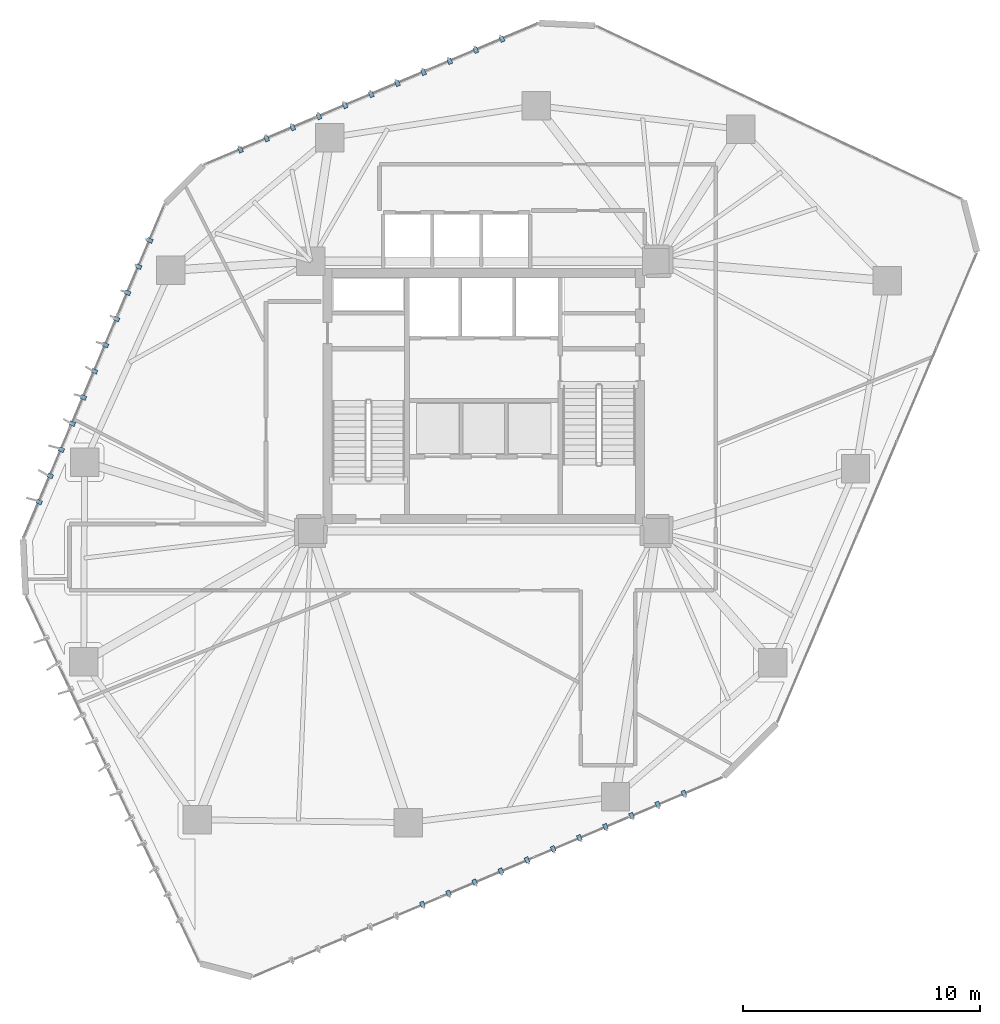
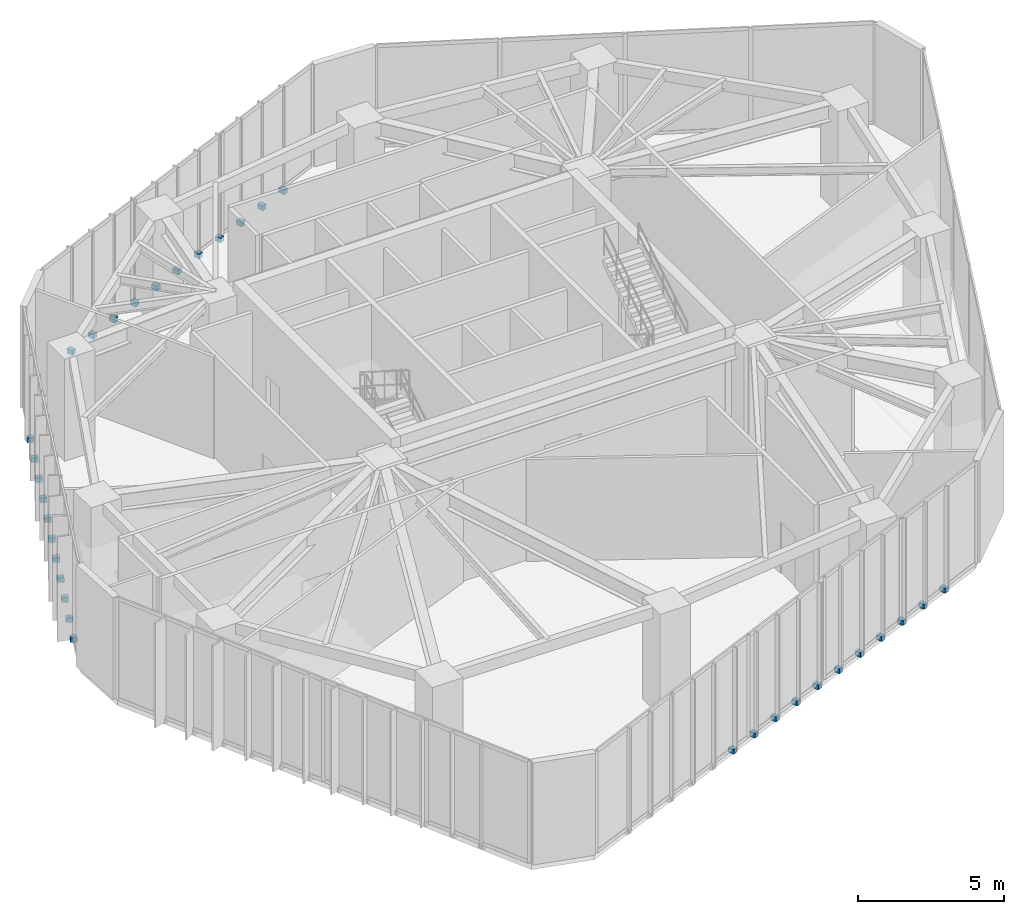
# One storey, part 24 of 28: 33 discrete accessories.
"""IFC4 building model written with IfcOpenShell, lengths in metres."""

from ifc_helpers import new_model, si_unit, direction, frame, origin, origin_2d, place, context, subcontext, project, spatial, rectangle, extrude, source, transform, mapped, material, type_object, type_shapes, element, save


model = new_model("IFC4")

# Units and contexts
model_context = context("Model", 3, precision=1e-05, world=origin(), true_north=direction((0.0, 1.0)))
body_context = subcontext(model_context, "Body", "Model", "MODEL_VIEW")
ifc_project = project(units=[si_unit("LENGTHUNIT", "METRE"), si_unit("AREAUNIT", "SQUARE_METRE"), si_unit("VOLUMEUNIT", "CUBIC_METRE"), si_unit("PLANEANGLEUNIT", "RADIAN"), si_unit("MASSUNIT", "GRAM", prefix="KILO")], contexts=[model_context])

# Site, building, storey
site_placement = place(None, origin())
site = spatial("IfcSite", under=ifc_project, at=site_placement, CompositionType="ELEMENT")
building_placement = place(site_placement, origin())
building = spatial("IfcBuilding", under=site, at=building_placement, Name="Talar Marvaseh", CompositionType="ELEMENT")
storey_placement = place(building_placement, frame((0.0, 0.0, 157.800048828125)))
storey = spatial("IfcBuildingStorey", under=building, at=storey_placement, Name="L41", CompositionType="ELEMENT", Elevation=157.800048828125)

# Discrete accessories
ifc_material = material(Name="Stainless Steel Grade 316", Category="steel")
discrete_accessory_type = type_object("IfcDiscreteAccessoryType", Name="Stainless Slab-Edge Fin Mounting Bracket", PredefinedType="BRACKET", material=ifc_material)
shared_shape = source(origin(), body_context, "Body", "SweptSolid", [
    extrude(rectangle(XDim=0.239990234375, YDim=0.179931640625, at=origin_2d()), origin(), (0.0, 0.0, 1.0), 0.199951171875),
])
type_shapes(discrete_accessory_type, [shared_shape])
for number, where, z_axis, x_axis, name in (
    (1, (7.220458984375, 26.721923828125, -0.18017578125), (0.0, 0.0, 1.0), (-0.920981534477, 0.389606228328, 0.0), "L41 Vertical Fin Slab-Edge Bracket"),
    (2, (7.68798828125, 27.8271484375, -0.18017578125), (0.0, 0.0, 1.0), (-0.920981534477, 0.389606228328, 0.0), "L41 Vertical Fin Slab-Edge Bracket"),
    (3, (8.155517578125, 28.932373046875, -0.18017578125), (0.0, 0.0, 1.0), (-0.920981534477, 0.389606228328, 0.0), "L41 Vertical Fin Slab-Edge Bracket"),
    (4, (8.623046875, 30.03759765625, -0.18017578125), (0.0, 0.0, 1.0), (-0.920981534477, 0.389606228328, 0.0), "L41 Vertical Fin Slab-Edge Bracket"),
    (5, (9.0908203125, 31.142578125, -0.18017578125), (0.0, 0.0, 1.0), (-0.920981534477, 0.389606228328, 0.0), "L41 Vertical Fin Slab-Edge Bracket"),
    (6, (9.558349609375, 32.247802734375, -0.18017578125), (0.0, 0.0, 1.0), (-0.920981534477, 0.389606228328, 0.0), "L41 Vertical Fin Slab-Edge Bracket"),
    (7, (10.02587890625, 33.352783203125, -0.18017578125), (0.0, 0.0, 1.0), (-0.920981534477, 0.389606228328, 0.0), "L41 Vertical Fin Slab-Edge Bracket"),
    (8, (10.493408203125, 34.4580078125, -0.18017578125), (0.0, 0.0, 1.0), (-0.920981534477, 0.389606228328, 0.0), "L41 Vertical Fin Slab-Edge Bracket"),
    (9, (10.9609375, 35.563232421875, -0.18017578125), (0.0, 0.0, 1.0), (-0.920981534477, 0.389606228328, 0.0), "L41 Vertical Fin Slab-Edge Bracket"),
    (10, (11.428466796875, 36.66845703125, -0.18017578125), (0.0, 0.0, 1.0), (-0.920981534477, 0.389606228328, 0.0), "L41 Vertical Fin Slab-Edge Bracket"),
    (11, (11.89599609375, 37.773681640625, -0.18017578125), (0.0, 0.0, 1.0), (-0.920981534477, 0.389606228328, 0.0), "L41 Vertical Fin Slab-Edge Bracket"),
    (12, (15.726318359375, 41.60400390625, -0.18017578125), (0.0, 0.0, 1.0), (-0.389606228328, 0.920981534477, 0.0), "L41 Vertical Fin Slab-Edge Bracket"),
    (13, (16.83154296875, 42.071533203125, -0.18017578125), (0.0, 0.0, 1.0), (-0.389606228328, 0.920981534477, 0.0), "L41 Vertical Fin Slab-Edge Bracket"),
    (14, (17.936767578125, 42.5390625, -0.18017578125), (0.0, 0.0, 1.0), (-0.389606228328, 0.920981534477, 0.0), "L41 Vertical Fin Slab-Edge Bracket"),
    (15, (19.0419921875, 43.006591796875, -0.18017578125), (0.0, 0.0, 1.0), (-0.389606228328, 0.920981534477, 0.0), "L41 Vertical Fin Slab-Edge Bracket"),
    (16, (20.147216796875, 43.47412109375, -0.18017578125), (0.0, 0.0, 1.0), (-0.389606228328, 0.920981534477, 0.0), "L41 Vertical Fin Slab-Edge Bracket"),
    (17, (21.252197265625, 43.941650390625, -0.18017578125), (0.0, 0.0, 1.0), (-0.389606228328, 0.920981534477, 0.0), "L41 Vertical Fin Slab-Edge Bracket"),
    (18, (22.357421875, 44.4091796875, -0.18017578125), (0.0, 0.0, 1.0), (-0.389606228328, 0.920981534477, 0.0), "L41 Vertical Fin Slab-Edge Bracket"),
    (19, (23.46240234375, 44.876953125, -0.18017578125), (0.0, 0.0, 1.0), (-0.389606228328, 0.920981534477, 0.0), "L41 Vertical Fin Slab-Edge Bracket"),
    (20, (24.567626953125, 45.344482421875, -0.18017578125), (0.0, 0.0, 1.0), (-0.389606228328, 0.920981534477, 0.0), "L41 Vertical Fin Slab-Edge Bracket"),
    (21, (25.6728515625, 45.81201171875, -0.18017578125), (0.0, 0.0, 1.0), (-0.389606228328, 0.920981534477, 0.0), "L41 Vertical Fin Slab-Edge Bracket"),
    (22, (26.778076171875, 46.279541015625, -0.18017578125), (0.0, 0.0, 1.0), (-0.389606228328, 0.920981534477, 0.0), "L41 Vertical Fin Slab-Edge Bracket"),
    (23, (34.45751953125, 14.41845703125, -0.18017578125), (0.0, 0.0, 1.0), (0.390891780942, -0.920436643986, 0.0), "L41 Vertical Fin Slab-Edge Bracket"),
    (24, (33.352783203125, 13.949462890625, -0.18017578125), (0.0, 0.0, 1.0), (0.390891780942, -0.920436643986, 0.0), "L41 Vertical Fin Slab-Edge Bracket"),
    (25, (32.248291015625, 13.480224609375, -0.18017578125), (0.0, 0.0, 1.0), (0.390891780942, -0.920436643986, 0.0), "L41 Vertical Fin Slab-Edge Bracket"),
    (26, (31.143798828125, 13.01123046875, -0.18017578125), (0.0, 0.0, 1.0), (0.390891780942, -0.920436643986, 0.0), "L41 Vertical Fin Slab-Edge Bracket"),
    (27, (30.039306640625, 12.542236328125, -0.18017578125), (0.0, 0.0, 1.0), (0.390891780942, -0.920436643986, 0.0), "L41 Vertical Fin Slab-Edge Bracket"),
    (28, (28.934814453125, 12.0732421875, -0.18017578125), (0.0, 0.0, 1.0), (0.390891780942, -0.920436643986, 0.0), "L41 Vertical Fin Slab-Edge Bracket"),
    (29, (27.830078125, 11.604248046875, -0.18017578125), (0.0, 0.0, 1.0), (0.390891780942, -0.920436643986, 0.0), "L41 Vertical Fin Slab-Edge Bracket"),
    (30, (26.7255859375, 11.135009765625, -0.18017578125), (0.0, 0.0, 1.0), (0.390891780942, -0.920436643986, 0.0), "L41 Vertical Fin Slab-Edge Bracket"),
    (31, (25.62109375, 10.666015625, -0.18017578125), (0.0, 0.0, 1.0), (0.390891780942, -0.920436643986, 0.0), "L41 Vertical Fin Slab-Edge Bracket"),
    (32, (24.5166015625, 10.197021484375, -0.18017578125), (0.0, 0.0, 1.0), (0.390891780942, -0.920436643986, 0.0), "L41 Vertical Fin Slab-Edge Bracket"),
    (33, (23.412109375, 9.72802734375, -0.18017578125), (0.0, 0.0, 1.0), (0.390891780942, -0.920436643986, 0.0), "L41 Vertical Fin Slab-Edge Bracket"),
):
    element("IfcDiscreteAccessory", number, at=place(storey_placement, frame(where, z_axis=z_axis, x_axis=x_axis)), inside=storey, type_object=discrete_accessory_type, Name=name, PredefinedType="BRACKET", context=body_context, shape_type="MappedRepresentation", body=[
        mapped(shared_shape, transform((0.0, 0.0, 0.0), x_axis=(1.0, 0.0, 0.0), y_axis=(0.0, 1.0, 0.0), z_axis=(0.0, 0.0, 1.0), scale=1.0)),
    ])

save(model, "model.ifc")
